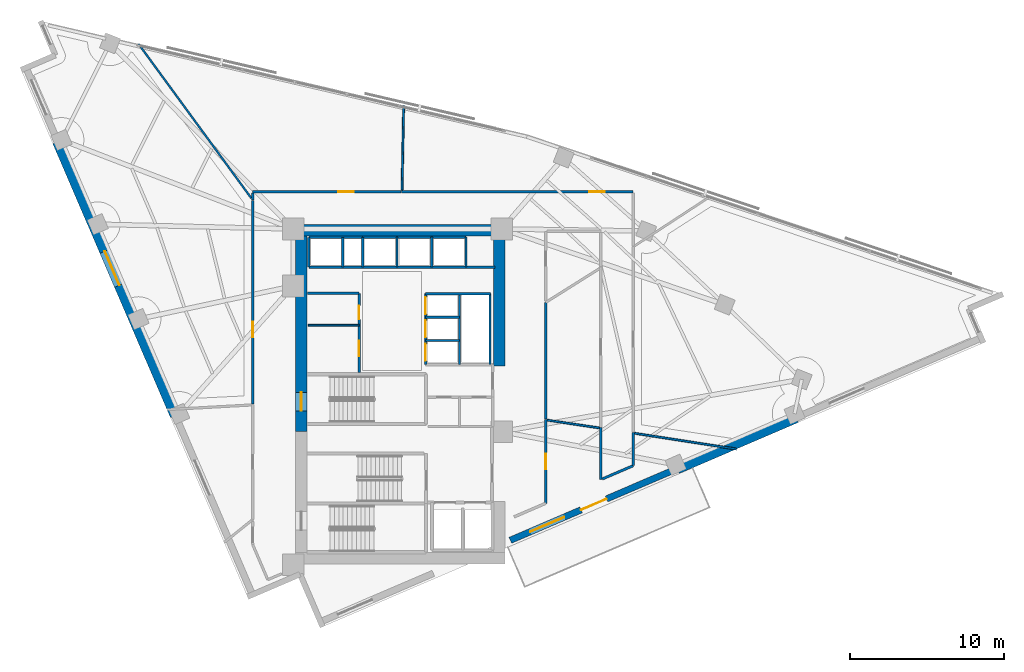
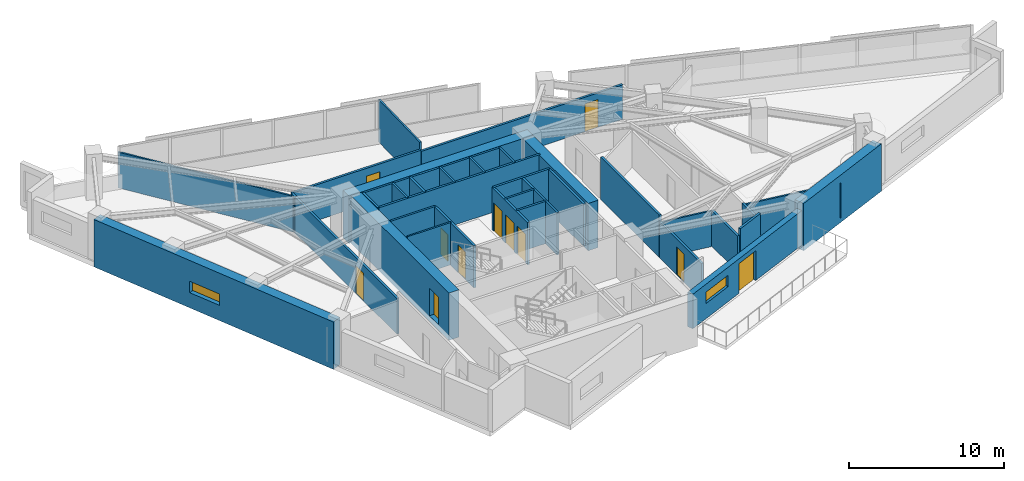
# One storey, part 10 of 13: 37 walls, 11 doors, 2 windows, 13 openings.
"""IFC4 building model written with IfcOpenShell, lengths in metres."""

from ifc_helpers import new_model, si_unit, direction, frame, frame_2d, origin, place, context, subcontext, project, spatial, rectangle, extrude, material, layer, layer_set, type_object, element, fill, save


model = new_model("IFC4")

# Units and contexts
model_context = context("Model", 3, precision=1e-05, world=origin(), true_north=direction((0.0, 1.0)))
body_context = subcontext(model_context, "Body", "Model", "MODEL_VIEW")
ifc_project = project(units=[si_unit("LENGTHUNIT", "METRE"), si_unit("AREAUNIT", "SQUARE_METRE"), si_unit("VOLUMEUNIT", "CUBIC_METRE"), si_unit("PLANEANGLEUNIT", "RADIAN"), si_unit("MASSUNIT", "GRAM", prefix="KILO")], contexts=[model_context])

# Site, building, storey
site_placement = place(None, origin())
site = spatial("IfcSite", under=ifc_project, at=site_placement, CompositionType="ELEMENT")
building_placement = place(site_placement, origin())
building = spatial("IfcBuilding", under=site, at=building_placement, Name="Narakoshi Arena Tower", CompositionType="ELEMENT")
storey_placement = place(building_placement, frame((0.0, 0.0, 164.699951171875)))
storey = spatial("IfcBuildingStorey", under=building, at=storey_placement, Name="L44", CompositionType="ELEMENT", Elevation=164.699951171875)

# Wall, opening, door
ifc_material_1 = material(Name="Concrete C50/60", Category="concrete")
ifc_layer_1 = layer(ifc_material_1, 0.75)
ifc_layer_set_1 = layer_set([ifc_layer_1], Name="Concrete C50/60")
wall_type_1 = type_object("IfcWallType", Name="WL-CORE-750", PredefinedType="SHEAR", material=ifc_layer_set_1)
wall_1_placement = place(storey_placement, frame((72.52490234375, 43.35009765625, -0.39990234375), z_axis=(0.0, 0.0, 1.0), x_axis=(0.0, 1.0, 0.0)))
wall_1 = element("IfcWall", 1, at=wall_1_placement, inside=storey, type_object=wall_type_1, Name="L44 Main Core Shear Wall CW-MN-W", PredefinedType="SHEAR", context=body_context, shape_type="SweptSolid", body=[
    extrude(rectangle(XDim=12.699951171875, YDim=0.75, at=frame_2d((6.35009765625, 0.0))), origin(), (0.0, 0.0, 1.0), 3.739990234375),
])
opening_1_placement = place(wall_1_placement, frame((1.35009765625, 0.0, 0.39990234375)))
opening_1 = element("IfcOpeningElement", 2, at=opening_1_placement, cuts=wall_1, Name="Opening D-03", PredefinedType="OPENING", context=body_context, shape_type="SweptSolid", body=[
    extrude(rectangle(XDim=1.199951171875, YDim=2.199951171875, at=frame_2d((0.60009765625, 1.10009765625))), frame((0.0, 0.385009765625, 0.0), z_axis=(0.0, -1.0, 0.0), x_axis=(1.0, 0.0, 0.0)), (0.0, 0.0, 1.0), 0.77001953125),
])
ifc_material_2 = material(Name="Painted galvanized steel", Category="steel")
door_type_1 = type_object("IfcDoorType", Name="DR-STR-1200", OperationType="NOTDEFINED", PredefinedType="USERDEFINED", material=ifc_material_2)
door_1_placement = place(opening_1_placement, frame((1.199951171875, 0.0, 0.0), z_axis=(0.0, 0.0, 1.0), x_axis=(-1.0, 0.0, 0.0)))
door_1 = element("IfcDoor", 3, at=door_1_placement, inside=storey, type_object=door_type_1, Name="DR-L44-007", ObjectType="EXITDOOR", OperationType="SINGLE_SWING_LEFT", OverallHeight=2.199951171875, OverallWidth=1.199951171875, PredefinedType="USERDEFINED", context=body_context, shape_type="SweptSolid", body=[
    extrude(rectangle(XDim=1.199951171875, YDim=2.199951171875, at=frame_2d((0.60009765625, 1.10009765625))), frame((0.0, 0.02490234375, 0.0), z_axis=(0.0, -1.0, 0.0), x_axis=(1.0, 0.0, 0.0)), (0.0, 0.0, 1.0), 0.050048828125),
])
fill(opening_1, door_1)

# Walls
wall_2_placement = place(storey_placement, frame((72.0, 56.425048828125, -0.39990234375), z_axis=(0.0, 0.0, 1.0), x_axis=(1.0, 0.0, 0.0)))
element("IfcWall", 4, at=wall_2_placement, inside=storey, type_object=wall_type_1, Name="L44 Main Core Shear Wall CW-MN-N", PredefinedType="SHEAR", context=body_context, shape_type="SweptSolid", body=[
    extrude(rectangle(XDim=13.75, YDim=0.75, at=frame_2d((6.875, 0.0))), origin(), (0.0, 0.0, 1.0), 3.739990234375),
])
wall_3_placement = place(storey_placement, frame((85.375, 47.60009765625, -0.39990234375), z_axis=(0.0, 0.0, 1.0), x_axis=(0.0, 1.0, 0.0)))
element("IfcWall", 5, at=wall_3_placement, inside=storey, type_object=wall_type_1, Name="L44 Main Core Shear Wall CW-MN-E", PredefinedType="SHEAR", context=body_context, shape_type="SweptSolid", body=[
    extrude(rectangle(XDim=8.449951171875, YDim=0.75, at=frame_2d((4.22509765625, 0.0))), origin(), (0.0, 0.0, 1.0), 3.739990234375),
])

# Wall, opening, door
ifc_material_3 = material(Name="Gypsum plasterboard fire-rated partition")
ifc_layer_2 = layer(ifc_material_3, 0.1650390625)
ifc_layer_set_2 = layer_set([ifc_layer_2], Name="Gypsum plasterboard fire-rated partition")
wall_type_2 = type_object("IfcWallType", Name="WL-CORR-165", PredefinedType="PARTITIONING", material=ifc_layer_set_2)
wall_4_placement = place(storey_placement, frame((88.39990234375, 38.69921875, 0.0), z_axis=(0.0, 0.0, 1.0), x_axis=(0.0, 1.0, 0.0)))
wall_4 = element("IfcWall", 6, at=wall_4_placement, inside=storey, type_object=wall_type_2, Name="L44 Corridor Partition 03-1", PredefinedType="PARTITIONING", context=body_context, shape_type="SweptSolid", body=[
    extrude(rectangle(XDim=5.4453125, YDim=0.1650390625, at=frame_2d((2.72265625, 0.0))), origin(), (0.0, 0.0, 1.0), 2.824951171875),
])
opening_2_placement = place(wall_4_placement, frame((2.22265625, 0.0, 0.0)))
opening_2 = element("IfcOpeningElement", 7, at=opening_2_placement, cuts=wall_4, Name="Opening D-06", PredefinedType="OPENING", context=body_context, shape_type="SweptSolid", body=[
    extrude(rectangle(XDim=1.0, YDim=2.199951171875, at=frame_2d((0.5, 1.10009765625))), frame((0.0, 0.092529296875, 0.0), z_axis=(0.0, -1.0, 0.0), x_axis=(1.0, 0.0, 0.0)), (0.0, 0.0, 1.0), 0.18505859375),
])
ifc_material_4 = material(Name="Stained oak solid-core timber", Category="wood")
door_type_2 = type_object("IfcDoorType", Name="DR-OFF-1000", OperationType="NOTDEFINED", PredefinedType="DOOR", material=ifc_material_4)
door_2_placement = place(opening_2_placement, frame((1.0, 0.0, 0.0), z_axis=(0.0, 0.0, 1.0), x_axis=(-1.0, 0.0, 0.0)))
door_2 = element("IfcDoor", 8, at=door_2_placement, inside=storey, type_object=door_type_2, Name="DR-L44-018", OperationType="SINGLE_SWING_RIGHT", OverallHeight=2.199951171875, OverallWidth=1.0, PredefinedType="DOOR", context=body_context, shape_type="SweptSolid", body=[
    extrude(rectangle(XDim=1.0, YDim=2.199951171875, at=frame_2d((0.5, 1.10009765625))), frame((0.0, 0.02490234375, 0.0), z_axis=(0.0, -1.0, 0.0), x_axis=(1.0, 0.0, 0.0)), (0.0, 0.0, 1.0), 0.050048828125),
])
fill(opening_2, door_2)

# Walls
wall_5_placement = place(storey_placement, frame((91.9736328125, 43.607421875, 0.0), z_axis=(0.0, 0.0, 1.0), x_axis=(0.0, -1.0, 0.0)))
element("IfcWall", 9, at=wall_5_placement, inside=storey, type_object=wall_type_2, Name="L44 Corridor Partition 03-2", PredefinedType="PARTITIONING", context=body_context, shape_type="SweptSolid", body=[
    extrude(rectangle(XDim=3.372802734375, YDim=0.1650390625, at=frame_2d((1.6865234375, 0.0))), origin(), (0.0, 0.0, 1.0), 2.824951171875),
])
wall_6_placement = place(storey_placement, frame((92.068115234375, 40.275390625, 0.0), z_axis=(0.0, 0.0, 1.0), x_axis=(0.91880916067, 0.394702072794, 0.0)))
element("IfcWall", 10, at=wall_6_placement, inside=storey, type_object=wall_type_2, Name="L44 Corridor Partition 03-3", PredefinedType="PARTITIONING", context=body_context, shape_type="SweptSolid", body=[
    extrude(rectangle(XDim=2.182861328125, YDim=0.1650390625, at=frame_2d((1.09130859375, 0.0))), origin(), (0.0, 0.0, 1.0), 3.340087890625),
])
wall_7_placement = place(storey_placement, frame((94.07373046875, 41.136962890625, 0.0), z_axis=(0.0, 0.0, 1.0), x_axis=(0.0, 1.0, 0.0)))
element("IfcWall", 11, at=wall_7_placement, inside=storey, type_object=wall_type_2, Name="L44 Corridor Partition 03-5", PredefinedType="PARTITIONING", context=body_context, shape_type="SweptSolid", body=[
    extrude(rectangle(XDim=2.154541015625, YDim=0.1650390625, at=frame_2d((1.0771484375, 0.0))), origin(), (0.0, 0.0, 1.0), 2.824951171875),
])
wall_8_placement = place(storey_placement, frame((88.39990234375, 44.168701171875, 0.0), z_axis=(0.0, 0.0, 1.0), x_axis=(0.0, 1.0, 0.0)))
element("IfcWall", 12, at=wall_8_placement, inside=storey, type_object=wall_type_2, Name="L44 Corridor Partition 05-2", PredefinedType="PARTITIONING", context=body_context, shape_type="SweptSolid", body=[
    extrude(rectangle(XDim=7.568359375, YDim=0.1650390625, at=frame_2d((3.7841796875, 0.0))), origin(), (0.0, 0.0, 1.0), 3.340087890625),
])

# Wall, opening, door
wall_9_placement = place(storey_placement, frame((94.07373046875, 58.9189453125, 0.0), z_axis=(0.0, 0.0, 1.0), x_axis=(-1.0, 0.0, 0.0)))
wall_9 = element("IfcWall", 13, at=wall_9_placement, inside=storey, type_object=wall_type_2, Name="L44 Corridor Partition 07-1", PredefinedType="PARTITIONING", context=body_context, shape_type="SweptSolid", body=[
    extrude(rectangle(XDim=15.040771484375, YDim=0.1650390625, at=frame_2d((7.5205078125, 0.0))), origin(), (0.0, 0.0, 1.0), 2.72509765625),
])
opening_3_placement = place(wall_9_placement, frame((1.8369140625, 0.0, 0.0)))
opening_3 = element("IfcOpeningElement", 14, at=opening_3_placement, cuts=wall_9, Name="Opening D-06", PredefinedType="OPENING", context=body_context, shape_type="SweptSolid", body=[
    extrude(rectangle(XDim=1.0, YDim=2.199951171875, at=frame_2d((0.5, 1.10009765625))), frame((0.0, 0.092529296875, 0.0), z_axis=(0.0, -1.0, 0.0), x_axis=(1.0, 0.0, 0.0)), (0.0, 0.0, 1.0), 0.18505859375),
])
door_3_placement = place(opening_3_placement, frame((1.0, 0.0, 0.0), z_axis=(0.0, 0.0, 1.0), x_axis=(-1.0, 0.0, 0.0)))
door_3 = element("IfcDoor", 15, at=door_3_placement, inside=storey, type_object=door_type_2, Name="DR-L44-022", OperationType="SINGLE_SWING_RIGHT", OverallHeight=2.199951171875, OverallWidth=1.0, PredefinedType="DOOR", context=body_context, shape_type="SweptSolid", body=[
    extrude(rectangle(XDim=1.0, YDim=2.199951171875, at=frame_2d((0.5, 1.10009765625))), frame((0.0, 0.02490234375, 0.0), z_axis=(0.0, -1.0, 0.0), x_axis=(1.0, 0.0, 0.0)), (0.0, 0.0, 1.0), 0.050048828125),
])
fill(opening_3, door_3)

wall_10_placement = place(storey_placement, frame((79.0087890625, 58.9189453125, 0.0), z_axis=(0.0, 0.0, 1.0), x_axis=(-1.0, 0.0, 0.0)))
wall_10 = element("IfcWall", 16, at=wall_10_placement, inside=storey, type_object=wall_type_2, Name="L44 Corridor Partition 08-1", PredefinedType="PARTITIONING", context=body_context, shape_type="SweptSolid", body=[
    extrude(rectangle(XDim=9.632568359375, YDim=0.1650390625, at=frame_2d((4.81640625, 0.0))), origin(), (0.0, 0.0, 1.0), 2.824951171875),
])
opening_4_placement = place(wall_10_placement, frame((3.081298828125, 0.0, 0.0)))
opening_4 = element("IfcOpeningElement", 17, at=opening_4_placement, cuts=wall_10, Name="Opening D-06", PredefinedType="OPENING", context=body_context, shape_type="SweptSolid", body=[
    extrude(rectangle(XDim=1.0, YDim=2.199951171875, at=frame_2d((0.5, 1.10009765625))), frame((0.0, 0.092529296875, 0.0), z_axis=(0.0, -1.0, 0.0), x_axis=(1.0, 0.0, 0.0)), (0.0, 0.0, 1.0), 0.18505859375),
])
door_4_placement = place(opening_4_placement, frame((1.0, 0.0, 0.0), z_axis=(0.0, 0.0, 1.0), x_axis=(-1.0, 0.0, 0.0)))
door_4 = element("IfcDoor", 18, at=door_4_placement, inside=storey, type_object=door_type_2, Name="DR-L44-023", OperationType="SINGLE_SWING_LEFT", OverallHeight=2.199951171875, OverallWidth=1.0, PredefinedType="DOOR", context=body_context, shape_type="SweptSolid", body=[
    extrude(rectangle(XDim=1.0, YDim=2.199951171875, at=frame_2d((0.5, 1.10009765625))), frame((0.0, 0.02490234375, 0.0), z_axis=(0.0, -1.0, 0.0), x_axis=(1.0, 0.0, 0.0)), (0.0, 0.0, 1.0), 0.050048828125),
])
fill(opening_4, door_4)

# Wall
wall_11_placement = place(storey_placement, frame((69.376220703125, 58.824462890625, 0.0), z_axis=(0.0, 0.0, 1.0), x_axis=(0.0, -1.0, 0.0)))
element("IfcWall", 19, at=wall_11_placement, inside=storey, type_object=wall_type_2, Name="L44 Corridor Partition 08-2", PredefinedType="PARTITIONING", context=body_context, shape_type="SweptSolid", body=[
    extrude(rectangle(XDim=0.445556640625, YDim=0.1650390625, at=frame_2d((0.22265625, 0.0))), origin(), (0.0, 0.0, 1.0), 2.824951171875),
])

# Wall, opening, door
wall_12_placement = place(storey_placement, frame((69.376220703125, 58.33837890625, 0.0), z_axis=(0.0, 0.0, 1.0), x_axis=(0.0, -1.0, 0.0)))
wall_12 = element("IfcWall", 20, at=wall_12_placement, inside=storey, type_object=wall_type_2, Name="L44 Corridor Partition 09-1", PredefinedType="PARTITIONING", context=body_context, shape_type="SweptSolid", body=[
    extrude(rectangle(XDim=13.195556640625, YDim=0.1650390625, at=frame_2d((6.59765625, 0.0))), origin(), (0.0, 0.0, 1.0), 2.824951171875),
])
opening_5_placement = place(wall_12_placement, frame((7.8671875, 0.0, 0.0)))
opening_5 = element("IfcOpeningElement", 21, at=opening_5_placement, cuts=wall_12, Name="Opening D-06", PredefinedType="OPENING", context=body_context, shape_type="SweptSolid", body=[
    extrude(rectangle(XDim=1.0, YDim=2.199951171875, at=frame_2d((0.5, 1.10009765625))), frame((0.0, 0.092529296875, 0.0), z_axis=(0.0, -1.0, 0.0), x_axis=(1.0, 0.0, 0.0)), (0.0, 0.0, 1.0), 0.18505859375),
])
door_5_placement = place(opening_5_placement, frame((1.0, 0.0, 0.0), z_axis=(0.0, 0.0, 1.0), x_axis=(-1.0, 0.0, 0.0)))
door_5 = element("IfcDoor", 22, at=door_5_placement, inside=storey, type_object=door_type_2, Name="DR-L44-024", OperationType="SINGLE_SWING_RIGHT", OverallHeight=2.199951171875, OverallWidth=1.0, PredefinedType="DOOR", context=body_context, shape_type="SweptSolid", body=[
    extrude(rectangle(XDim=1.0, YDim=2.199951171875, at=frame_2d((0.5, 1.10009765625))), frame((0.0, 0.02490234375, 0.0), z_axis=(0.0, -1.0, 0.0), x_axis=(1.0, 0.0, 0.0)), (0.0, 0.0, 1.0), 0.050048828125),
])
fill(opening_5, door_5)

# Wall
ifc_material_5 = material(Name="Concrete C60/75", Category="concrete")
ifc_layer_3 = layer(ifc_material_5, 0.699951171875)
ifc_layer_set_3 = layer_set([ifc_layer_3], Name="Concrete C60/75")
wall_type_3 = type_object("IfcWallType", Name="WL-LEG-700", PredefinedType="SHEAR", material=ifc_layer_set_3)
wall_13_placement = place(storey_placement, frame((96.936767578125, 40.951904296875, -0.39990234375), z_axis=(0.0, 0.0, 1.0), x_axis=(0.918782407933, 0.394764343468, 0.0)))
element("IfcWall", 23, at=wall_13_placement, inside=storey, type_object=wall_type_3, Name="L44 Architectural Concrete Structural Wall LEGA-3", PredefinedType="SHEAR", context=body_context, shape_type="SweptSolid", body=[
    extrude(rectangle(XDim=8.401611328125, YDim=0.699951171875, at=frame_2d((4.20068359375, 0.0))), origin(), (0.0, 0.0, 1.0), 3.739990234375),
])

# Wall, opening, window
wall_14_placement = place(storey_placement, frame((56.7275390625, 62.171875, -0.39990234375), z_axis=(0.0, 0.0, 1.0), x_axis=(0.394736752992, -0.918794261974, 0.0)))
wall_14 = element("IfcWall", 24, at=wall_14_placement, inside=storey, type_object=wall_type_3, Name="L44 Architectural Concrete Structural Wall LEGB-2", PredefinedType="SHEAR", context=body_context, shape_type="SweptSolid", body=[
    extrude(rectangle(XDim=19.3525390625, YDim=0.699951171875, at=frame_2d((9.67626953125, 0.0))), origin(), (0.0, 0.0, 1.0), 3.739990234375),
])
opening_6_placement = place(wall_14_placement, frame((7.747314453125, 0.0, 1.199951171875)))
opening_6 = element("IfcOpeningElement", 25, at=opening_6_placement, cuts=wall_14, Name="Opening WN-01", PredefinedType="OPENING", context=body_context, shape_type="SweptSolid", body=[
    extrude(rectangle(XDim=2.39990234375, YDim=0.89990234375, at=frame_2d((1.199951171875, 0.449951171875))), frame((0.0, 0.35986328125, 0.0), z_axis=(0.0, -1.0, 0.0), x_axis=(1.0, 0.0, 0.0)), (0.0, 0.0, 1.0), 0.719970703125),
])
ifc_material_6 = material(Name="Bronze-tinted low-E laminated glass", Category="glass")
window_type = type_object("IfcWindowType", Name="WIN-SLT-24x09", PartitioningType="SINGLE_PANEL", PredefinedType="WINDOW", material=ifc_material_6)
window_1_placement = place(opening_6_placement, origin())
window_1 = element("IfcWindow", 26, at=window_1_placement, inside=storey, type_object=window_type, Name="L44 LEGB2 Horizontal Slot Window 1", OverallHeight=0.89990234375, OverallWidth=2.39990234375, PartitioningType="SINGLE_PANEL", PredefinedType="WINDOW", context=body_context, shape_type="SweptSolid", body=[
    extrude(rectangle(XDim=2.39990234375, YDim=0.89990234375, at=frame_2d((1.199951171875, 0.449951171875))), frame((0.0, 0.030029296875, 0.0), z_axis=(0.0, -1.0, 0.0), x_axis=(1.0, 0.0, 0.0)), (0.0, 0.0, 1.0), 0.06005859375),
])
fill(opening_6, window_1)

# Walls
ifc_layer_4 = layer(ifc_material_3, 0.125)
ifc_layer_set_4 = layer_set([ifc_layer_4], Name="Gypsum plasterboard fire-rated partition")
wall_type_4 = type_object("IfcWallType", Name="WL-PART-125", PredefinedType="PARTITIONING", material=ifc_layer_set_4)
wall_15_placement = place(storey_placement, frame((73.0, 50.25, 0.0), z_axis=(0.0, 0.0, 1.0), x_axis=(1.0, 0.0, 0.0)))
element("IfcWall", 27, at=wall_15_placement, inside=storey, type_object=wall_type_4, Name="L44 Core Wall RCL-LR-D2", PredefinedType="PARTITIONING", context=body_context, shape_type="SweptSolid", body=[
    extrude(rectangle(XDim=3.280029296875, YDim=0.125, at=frame_2d((1.64013671875, 0.0))), origin(), (0.0, 0.0, 1.0), 3.340087890625),
])
wall_16_placement = place(storey_placement, frame((94.168212890625, 43.240478515625, 0.0), z_axis=(0.0, 0.0, 1.0), x_axis=(0.988173043675, -0.153342869914, 0.0)))
element("IfcWall", 28, at=wall_16_placement, inside=storey, type_object=wall_type_4, Name="L44 Inter-Room Partition 03-04", PredefinedType="PARTITIONING", context=body_context, shape_type="SweptSolid", body=[
    extrude(rectangle(XDim=6.67724609375, YDim=0.125, at=frame_2d((3.338623046875, 0.0))), origin(), (0.0, 0.0, 1.0), 2.72509765625),
])
wall_17_placement = place(storey_placement, frame((88.494384765625, 44.093994140625, 0.0), z_axis=(0.0, 0.0, 1.0), x_axis=(0.988911225156, -0.148507874407, 0.0)))
element("IfcWall", 29, at=wall_17_placement, inside=storey, type_object=wall_type_4, Name="L44 Inter-Room Partition 03-05", PredefinedType="PARTITIONING", context=body_context, shape_type="SweptSolid", body=[
    extrude(rectangle(XDim=3.422607421875, YDim=0.125, at=frame_2d((1.71142578125, 0.0))), origin(), (0.0, 0.0, 1.0), 2.824951171875),
])
wall_18_placement = place(storey_placement, frame((79.07080078125, 59.013427734375, 0.0), z_axis=(0.0, 0.0, 1.0), x_axis=(0.019556161565, 0.999808759986, 0.0)))
element("IfcWall", 30, at=wall_18_placement, inside=storey, type_object=wall_type_4, Name="L44 Inter-Room Partition 07-08", PredefinedType="PARTITIONING", context=body_context, shape_type="SweptSolid", body=[
    extrude(rectangle(XDim=5.492919921875, YDim=0.125, at=frame_2d((2.74658203125, 0.0))), origin(), (0.0, 0.0, 1.0), 3.340087890625),
])
wall_19_placement = place(storey_placement, frame((69.28173828125, 58.50830078125, 0.0), z_axis=(0.0, 0.0, 1.0), x_axis=(-0.590215143574, 0.807245987476, 0.0)))
element("IfcWall", 31, at=wall_19_placement, inside=storey, type_object=wall_type_4, Name="L44 Inter-Room Partition 08-09", PredefinedType="PARTITIONING", context=body_context, shape_type="SweptSolid", body=[
    extrude(rectangle(XDim=12.39208984375, YDim=0.125, at=frame_2d((6.196044921875, 0.0))), origin(), (0.0, 0.0, 1.0), 2.824951171875),
])

# Wall, openings, door, window
ifc_material_7 = material(Name="Precast concrete C45/55", Category="concrete")
ifc_layer_5 = layer(ifc_material_7, 0.419921875)
ifc_layer_set_5 = layer_set([ifc_layer_5], Name="Precast concrete C45/55")
wall_type_5 = type_object("IfcWallType", Name="WL-POD-420", PredefinedType="SOLIDWALL", material=ifc_layer_set_5)
wall_20_placement = place(storey_placement, frame((86.10009765625, 36.296142578125, 0.0), z_axis=(0.0, 0.0, 1.0), x_axis=(0.918792412723, 0.394741057306, 0.0)))
wall_20 = element("IfcWall", 32, at=wall_20_placement, inside=storey, type_object=wall_type_5, Name="L44 Architectural Concrete Facade Wall LEGA-2", PredefinedType="SOLIDWALL", context=body_context, shape_type="SweptSolid", body=[
    extrude(rectangle(XDim=11.79443359375, YDim=0.419921875, at=frame_2d((5.897216796875, 0.0))), origin(), (0.0, 0.0, 1.0), 2.72509765625),
])
opening_7_placement = place(wall_20_placement, frame((4.997314453125, 0.0, 0.0)))
opening_7 = element("IfcOpeningElement", 33, at=opening_7_placement, cuts=wall_20, Name="Opening D-11", PredefinedType="OPENING", context=body_context, shape_type="SweptSolid", body=[
    extrude(rectangle(XDim=1.800048828125, YDim=2.35009765625, at=frame_2d((0.89990234375, 1.175048828125))), frame((0.0, 0.219970703125, 0.0), z_axis=(0.0, -1.0, 0.0), x_axis=(1.0, 0.0, 0.0)), (0.0, 0.0, 1.0), 0.43994140625),
])
opening_8_placement = place(wall_20_placement, frame((1.410888671875, 0.0, 1.199951171875)))
opening_8 = element("IfcOpeningElement", 34, at=opening_8_placement, cuts=wall_20, Name="Opening WN-01", PredefinedType="OPENING", context=body_context, shape_type="SweptSolid", body=[
    extrude(rectangle(XDim=2.39990234375, YDim=0.89990234375, at=frame_2d((1.199951171875, 0.449951171875))), frame((0.0, 0.219970703125, 0.0), z_axis=(0.0, -1.0, 0.0), x_axis=(1.0, 0.0, 0.0)), (0.0, 0.0, 1.0), 0.43994140625),
])
ifc_material_8 = material(Name="Anodised bronze aluminium 6063-T6", Category="aluminium")
door_type_3 = type_object("IfcDoorType", Name="DR-TER-1800", OperationType="DOUBLE_DOOR_SLIDING", PredefinedType="DOOR", material=ifc_material_8)
door_6_placement = place(opening_7_placement, origin())
door_6 = element("IfcDoor", 35, at=door_6_placement, inside=storey, type_object=door_type_3, Name="DR-L44-001", OperationType="DOUBLE_DOOR_SLIDING", OverallHeight=2.35009765625, OverallWidth=1.800048828125, PredefinedType="DOOR", context=body_context, shape_type="SweptSolid", body=[
    extrude(rectangle(XDim=1.800048828125, YDim=2.35009765625, at=frame_2d((0.89990234375, 1.175048828125))), frame((0.0, 0.02490234375, 0.0), z_axis=(0.0, -1.0, 0.0), x_axis=(1.0, 0.0, 0.0)), (0.0, 0.0, 1.0), 0.050048828125),
])
fill(opening_7, door_6)
window_2_placement = place(opening_8_placement, origin())
window_2 = element("IfcWindow", 36, at=window_2_placement, inside=storey, type_object=window_type, Name="L44 LEGA2 Horizontal Slot Window 1", OverallHeight=0.89990234375, OverallWidth=2.39990234375, PartitioningType="SINGLE_PANEL", PredefinedType="WINDOW", context=body_context, shape_type="SweptSolid", body=[
    extrude(rectangle(XDim=2.39990234375, YDim=0.89990234375, at=frame_2d((1.199951171875, 0.449951171875))), frame((0.0, 0.030029296875, 0.0), z_axis=(0.0, -1.0, 0.0), x_axis=(1.0, 0.0, 0.0)), (0.0, 0.0, 1.0), 0.06005859375),
])
fill(opening_8, window_2)

# Walls
ifc_material_9 = material(Name="Concrete C40/50", Category="concrete")
ifc_layer_6 = layer(ifc_material_9, 0.280029296875)
ifc_layer_set_6 = layer_set([ifc_layer_6], Name="Concrete C40/50")
wall_type_6 = type_object("IfcWallType", Name="WL-RISER-280", PredefinedType="PLUMBINGWALL", material=ifc_layer_set_6)
for number, where, z_axis, x_axis, name in (
    (37, (80.60009765625, 49.260009765625, 0.0), (0.0, 0.0, 1.0), (1.0, 0.0, 0.0), "L44 Core Wall MR-D1"),
    (38, (80.60009765625, 50.780029296875, 0.0), (0.0, 0.0, 1.0), (1.0, 0.0, 0.0), "L44 Core Wall MR-D2"),
):
    element("IfcWall", number, at=place(storey_placement, frame(where, z_axis=z_axis, x_axis=x_axis)), inside=storey, type_object=wall_type_6, Name=name, PredefinedType="PLUMBINGWALL", context=body_context, shape_type="SweptSolid", body=[
        extrude(rectangle(XDim=2.199951171875, YDim=0.14990234375, at=frame_2d((1.10009765625, 0.0))), origin(), (0.0, 0.0, 1.0), 3.340087890625),
    ])
wall_21_placement = place(storey_placement, frame((82.800048828125, 47.699951171875, 0.0), z_axis=(0.0, 0.0, 1.0), x_axis=(0.0, 1.0, 0.0)))
element("IfcWall", 39, at=wall_21_placement, inside=storey, type_object=wall_type_6, Name="L44 Core Wall MR-E", PredefinedType="PLUMBINGWALL", context=body_context, shape_type="SweptSolid", body=[
    extrude(rectangle(XDim=4.60009765625, YDim=0.14990234375, at=frame_2d((2.300048828125, 0.0))), origin(), (0.0, 0.0, 1.0), 3.340087890625),
])
for number, where, z_axis, x_axis, name in (
    (40, (73.02001953125, 54.02001953125, 0.0), (0.0, 0.0, 1.0), (0.0, 1.0, 0.0), "L44 Core Wall OBS-W"),
    (41, (75.219970703125, 54.02001953125, 0.0), (0.0, 0.0, 1.0), (0.0, 1.0, 0.0), "L44 Core Wall OBS-M"),
):
    element("IfcWall", number, at=place(storey_placement, frame(where, z_axis=z_axis, x_axis=x_axis)), inside=storey, type_object=wall_type_6, Name=name, PredefinedType="PLUMBINGWALL", context=body_context, shape_type="SweptSolid", body=[
        extrude(rectangle(XDim=1.93994140625, YDim=0.14990234375, at=frame_2d((0.969970703125, 0.0))), origin(), (0.0, 0.0, 1.0), 3.340087890625),
    ])
for number, where, z_axis, x_axis, name in (
    (42, (78.75, 54.02001953125, 0.0), (0.0, 0.0, 1.0), (0.0, 1.0, 0.0), "L44 Core Wall HR-D1"),
    (43, (81.0, 54.02001953125, 0.0), (0.0, 0.0, 1.0), (0.0, 1.0, 0.0), "L44 Core Wall HR-D2"),
):
    element("IfcWall", number, at=place(storey_placement, frame(where, z_axis=z_axis, x_axis=x_axis)), inside=storey, type_object=wall_type_6, Name=name, PredefinedType="PLUMBINGWALL", context=body_context, shape_type="SweptSolid", body=[
        extrude(rectangle(XDim=1.9599609375, YDim=0.14990234375, at=frame_2d((0.97998046875, 0.0))), origin(), (0.0, 0.0, 1.0), 3.340087890625),
    ])

# Wall, openings, doors
ifc_layer_7 = layer(ifc_material_1, 0.35009765625)
ifc_layer_set_7 = layer_set([ifc_layer_7], Name="Concrete C50/60")
wall_type_7 = type_object("IfcWallType", Name="WL-SHAFT-350", PredefinedType="SOLIDWALL", material=ifc_layer_set_7)
wall_22_placement = place(storey_placement, frame((76.280029296875, 47.179931640625, 0.0), z_axis=(0.0, 0.0, 1.0), x_axis=(0.0, 1.0, 0.0)))
wall_22 = element("IfcWall", 44, at=wall_22_placement, inside=storey, type_object=wall_type_7, Name="L44 Core Wall LR-E", PredefinedType="SOLIDWALL", context=body_context, shape_type="SweptSolid", body=[
    extrude(rectangle(XDim=5.14013671875, YDim=0.159912109375, at=frame_2d((2.570068359375, 0.0))), origin(), (0.0, 0.0, 1.0), 3.340087890625),
])
opening_9_placement = place(wall_22_placement, frame((1.050048828125, 0.0, 0.0)))
opening_9 = element("IfcOpeningElement", 45, at=opening_9_placement, cuts=wall_22, Name="Opening D-06", PredefinedType="OPENING", context=body_context, shape_type="SweptSolid", body=[
    extrude(rectangle(XDim=1.0, YDim=2.199951171875, at=frame_2d((0.5, 1.10009765625))), frame((0.0, 0.08984375, 0.0), z_axis=(0.0, -1.0, 0.0), x_axis=(1.0, 0.0, 0.0)), (0.0, 0.0, 1.0), 0.179931640625),
])
opening_10_placement = place(wall_22_placement, frame((3.449951171875, 0.0, 0.0)))
opening_10 = element("IfcOpeningElement", 46, at=opening_10_placement, cuts=wall_22, Name="Opening D-08", PredefinedType="OPENING", context=body_context, shape_type="SweptSolid", body=[
    extrude(rectangle(XDim=0.89990234375, YDim=2.10009765625, at=frame_2d((0.449951171875, 1.050048828125))), frame((0.0, 0.08984375, 0.0), z_axis=(0.0, -1.0, 0.0), x_axis=(1.0, 0.0, 0.0)), (0.0, 0.0, 1.0), 0.179931640625),
])
door_7_placement = place(opening_9_placement, frame((1.0, 0.0, 0.0), z_axis=(0.0, 0.0, 1.0), x_axis=(-1.0, 0.0, 0.0)))
door_7 = element("IfcDoor", 47, at=door_7_placement, inside=storey, type_object=door_type_2, Name="DR-L44-011", OperationType="SINGLE_SWING_RIGHT", OverallHeight=2.199951171875, OverallWidth=1.0, PredefinedType="DOOR", context=body_context, shape_type="SweptSolid", body=[
    extrude(rectangle(XDim=1.0, YDim=2.199951171875, at=frame_2d((0.5, 1.10009765625))), frame((0.0, 0.02490234375, 0.0), z_axis=(0.0, -1.0, 0.0), x_axis=(1.0, 0.0, 0.0)), (0.0, 0.0, 1.0), 0.050048828125),
])
fill(opening_9, door_7)
ifc_material_10 = material(Name="Moisture-resistant laminate timber", Category="wood")
door_type_4 = type_object("IfcDoorType", Name="DR-WC-900", OperationType="NOTDEFINED", PredefinedType="DOOR", material=ifc_material_10)
door_8_placement = place(opening_10_placement, frame((0.89990234375, 0.0, 0.0), z_axis=(0.0, 0.0, 1.0), x_axis=(-1.0, 0.0, 0.0)))
door_8 = element("IfcDoor", 48, at=door_8_placement, inside=storey, type_object=door_type_4, Name="DR-L44-012", OperationType="SINGLE_SWING_LEFT", OverallHeight=2.10009765625, OverallWidth=0.89990234375, PredefinedType="DOOR", context=body_context, shape_type="SweptSolid", body=[
    extrude(rectangle(XDim=0.89990234375, YDim=2.10009765625, at=frame_2d((0.449951171875, 1.050048828125))), frame((0.0, 0.02490234375, 0.0), z_axis=(0.0, -1.0, 0.0), x_axis=(1.0, 0.0, 0.0)), (0.0, 0.0, 1.0), 0.050048828125),
])
fill(opening_10, door_8)

# Wall
wall_23_placement = place(storey_placement, frame((72.949951171875, 52.320068359375, 0.0), z_axis=(0.0, 0.0, 1.0), x_axis=(1.0, 0.0, 0.0)))
element("IfcWall", 49, at=wall_23_placement, inside=storey, type_object=wall_type_7, Name="L44 Core Wall LR-N", PredefinedType="SOLIDWALL", context=body_context, shape_type="SweptSolid", body=[
    extrude(rectangle(XDim=3.330078125, YDim=0.14990234375, at=frame_2d((1.6650390625, 0.0))), origin(), (0.0, 0.0, 1.0), 3.340087890625),
])

# Wall, openings, doors
wall_24_placement = place(storey_placement, frame((80.60009765625, 47.699951171875, 0.0), z_axis=(0.0, 0.0, 1.0), x_axis=(0.0, 1.0, 0.0)))
wall_24 = element("IfcWall", 50, at=wall_24_placement, inside=storey, type_object=wall_type_7, Name="L44 Core Wall MR-W", PredefinedType="SOLIDWALL", context=body_context, shape_type="SweptSolid", body=[
    extrude(rectangle(XDim=4.60009765625, YDim=0.159912109375, at=frame_2d((2.300048828125, 0.0))), origin(), (0.0, 0.0, 1.0), 3.340087890625),
])
opening_11_placement = place(wall_24_placement, frame((0.239990234375, 0.0, 0.0)))
opening_11 = element("IfcOpeningElement", 51, at=opening_11_placement, cuts=wall_24, Name="Opening LD-01", PredefinedType="OPENING", context=body_context, shape_type="SweptSolid", body=[
    extrude(rectangle(XDim=1.10009765625, YDim=2.25, at=frame_2d((0.550048828125, 1.125))), frame((0.0, 0.08984375, 0.0), z_axis=(0.0, -1.0, 0.0), x_axis=(1.0, 0.0, 0.0)), (0.0, 0.0, 1.0), 0.179931640625),
])
opening_12_placement = place(wall_24_placement, frame((1.760009765625, 0.0, 0.0)))
opening_12 = element("IfcOpeningElement", 52, at=opening_12_placement, cuts=wall_24, Name="Opening LD-01", PredefinedType="OPENING", context=body_context, shape_type="SweptSolid", body=[
    extrude(rectangle(XDim=1.10009765625, YDim=2.25, at=frame_2d((0.550048828125, 1.125))), frame((0.0, 0.08984375, 0.0), z_axis=(0.0, -1.0, 0.0), x_axis=(1.0, 0.0, 0.0)), (0.0, 0.0, 1.0), 0.179931640625),
])
opening_13_placement = place(wall_24_placement, frame((3.280029296875, 0.0, 0.0)))
opening_13 = element("IfcOpeningElement", 53, at=opening_13_placement, cuts=wall_24, Name="Opening LD-01", PredefinedType="OPENING", context=body_context, shape_type="SweptSolid", body=[
    extrude(rectangle(XDim=1.10009765625, YDim=2.25, at=frame_2d((0.550048828125, 1.125))), frame((0.0, 0.08984375, 0.0), z_axis=(0.0, -1.0, 0.0), x_axis=(1.0, 0.0, 0.0)), (0.0, 0.0, 1.0), 0.179931640625),
])
ifc_material_11 = material(Name="Brushed bronze stainless steel", Category="steel")
door_type_5 = type_object("IfcDoorType", Name="DR-LFT-1100", OperationType="DOUBLE_DOOR_SLIDING", PredefinedType="DOOR", material=ifc_material_11)
door_9_placement = place(opening_11_placement, frame((1.10009765625, 0.0, 0.0), z_axis=(0.0, 0.0, 1.0), x_axis=(-1.0, 0.0, 0.0)))
door_9 = element("IfcDoor", 54, at=door_9_placement, inside=storey, type_object=door_type_5, Name="DR-L44-013", OperationType="DOUBLE_DOOR_SLIDING", OverallHeight=2.25, OverallWidth=1.10009765625, PredefinedType="DOOR", context=body_context, shape_type="SweptSolid", body=[
    extrude(rectangle(XDim=1.10009765625, YDim=2.25, at=frame_2d((0.550048828125, 1.125))), frame((0.0, 0.02490234375, 0.0), z_axis=(0.0, -1.0, 0.0), x_axis=(1.0, 0.0, 0.0)), (0.0, 0.0, 1.0), 0.050048828125),
])
fill(opening_11, door_9)
door_10_placement = place(opening_12_placement, frame((1.10009765625, 0.0, 0.0), z_axis=(0.0, 0.0, 1.0), x_axis=(-1.0, 0.0, 0.0)))
door_10 = element("IfcDoor", 55, at=door_10_placement, inside=storey, type_object=door_type_5, Name="DR-L44-014", OperationType="DOUBLE_DOOR_SLIDING", OverallHeight=2.25, OverallWidth=1.10009765625, PredefinedType="DOOR", context=body_context, shape_type="SweptSolid", body=[
    extrude(rectangle(XDim=1.10009765625, YDim=2.25, at=frame_2d((0.550048828125, 1.125))), frame((0.0, 0.02490234375, 0.0), z_axis=(0.0, -1.0, 0.0), x_axis=(1.0, 0.0, 0.0)), (0.0, 0.0, 1.0), 0.050048828125),
])
fill(opening_12, door_10)
door_11_placement = place(opening_13_placement, frame((1.10009765625, 0.0, 0.0), z_axis=(0.0, 0.0, 1.0), x_axis=(-1.0, 0.0, 0.0)))
door_11 = element("IfcDoor", 56, at=door_11_placement, inside=storey, type_object=door_type_5, Name="DR-L44-015", OperationType="DOUBLE_DOOR_SLIDING", OverallHeight=2.25, OverallWidth=1.10009765625, PredefinedType="DOOR", context=body_context, shape_type="SweptSolid", body=[
    extrude(rectangle(XDim=1.10009765625, YDim=2.25, at=frame_2d((0.550048828125, 1.125))), frame((0.0, 0.02490234375, 0.0), z_axis=(0.0, -1.0, 0.0), x_axis=(1.0, 0.0, 0.0)), (0.0, 0.0, 1.0), 0.050048828125),
])
fill(opening_13, door_11)

# Walls
wall_25_placement = place(storey_placement, frame((80.60009765625, 52.300048828125, 0.0), z_axis=(0.0, 0.0, 1.0), x_axis=(1.0, 0.0, 0.0)))
element("IfcWall", 57, at=wall_25_placement, inside=storey, type_object=wall_type_7, Name="L44 Core Wall MR-N", PredefinedType="SOLIDWALL", context=body_context, shape_type="SweptSolid", body=[
    extrude(rectangle(XDim=4.219970703125, YDim=0.159912109375, at=frame_2d((2.10986328125, 0.0))), origin(), (0.0, 0.0, 1.0), 3.340087890625),
])
wall_26_placement = place(storey_placement, frame((84.780029296875, 47.699951171875, 0.0), z_axis=(0.0, 0.0, 1.0), x_axis=(0.0, 1.0, 0.0)))
element("IfcWall", 58, at=wall_26_placement, inside=storey, type_object=wall_type_7, Name="L44 Core Wall MR-E2", PredefinedType="SOLIDWALL", context=body_context, shape_type="SweptSolid", body=[
    extrude(rectangle(XDim=4.60009765625, YDim=0.159912109375, at=frame_2d((2.300048828125, 0.0))), origin(), (0.0, 0.0, 1.0), 3.340087890625),
])
wall_27_placement = place(storey_placement, frame((73.02001953125, 54.02001953125, 0.0), z_axis=(0.0, 0.0, 1.0), x_axis=(1.0, 0.0, 0.0)))
element("IfcWall", 59, at=wall_27_placement, inside=storey, type_object=wall_type_7, Name="L44 Core Wall NSHF-S", PredefinedType="SOLIDWALL", context=body_context, shape_type="SweptSolid", body=[
    extrude(rectangle(XDim=12.080078125, YDim=0.159912109375, at=frame_2d((6.0400390625, 0.0))), origin(), (0.0, 0.0, 1.0), 3.340087890625),
])
wall_28_placement = place(storey_placement, frame((73.02001953125, 55.9599609375, 0.0), z_axis=(0.0, 0.0, 1.0), x_axis=(1.0, 0.0, 0.0)))
element("IfcWall", 60, at=wall_28_placement, inside=storey, type_object=wall_type_7, Name="L44 Core Wall OBS-N", PredefinedType="SOLIDWALL", context=body_context, shape_type="SweptSolid", body=[
    extrude(rectangle(XDim=3.5, YDim=0.14990234375, at=frame_2d((1.75, 0.0))), origin(), (0.0, 0.0, 1.0), 3.340087890625),
])
wall_29_placement = place(storey_placement, frame((76.52001953125, 54.02001953125, 0.0), z_axis=(0.0, 0.0, 1.0), x_axis=(0.0, 1.0, 0.0)))
element("IfcWall", 61, at=wall_29_placement, inside=storey, type_object=wall_type_7, Name="L44 Core Wall OBS-E", PredefinedType="SOLIDWALL", context=body_context, shape_type="SweptSolid", body=[
    extrude(rectangle(XDim=1.93994140625, YDim=0.14990234375, at=frame_2d((0.969970703125, 0.0))), origin(), (0.0, 0.0, 1.0), 3.340087890625),
])
wall_30_placement = place(storey_placement, frame((83.219970703125, 54.02001953125, 0.0), z_axis=(0.0, 0.0, 1.0), x_axis=(0.0, 1.0, 0.0)))
element("IfcWall", 62, at=wall_30_placement, inside=storey, type_object=wall_type_7, Name="L44 Core Wall HR-E", PredefinedType="SOLIDWALL", context=body_context, shape_type="SweptSolid", body=[
    extrude(rectangle(XDim=1.9599609375, YDim=0.14990234375, at=frame_2d((0.97998046875, 0.0))), origin(), (0.0, 0.0, 1.0), 3.340087890625),
])
wall_31_placement = place(storey_placement, frame((76.52001953125, 55.9599609375, 0.0), z_axis=(0.0, 0.0, 1.0), x_axis=(1.0, 0.0, 0.0)))
element("IfcWall", 63, at=wall_31_placement, inside=storey, type_object=wall_type_7, Name="L44 Core Wall HR-N", PredefinedType="SOLIDWALL", context=body_context, shape_type="SweptSolid", body=[
    extrude(rectangle(XDim=6.699951171875, YDim=0.14990234375, at=frame_2d((3.35009765625, 0.0))), origin(), (0.0, 0.0, 1.0), 3.340087890625),
])

save(model, "model.ifc")
